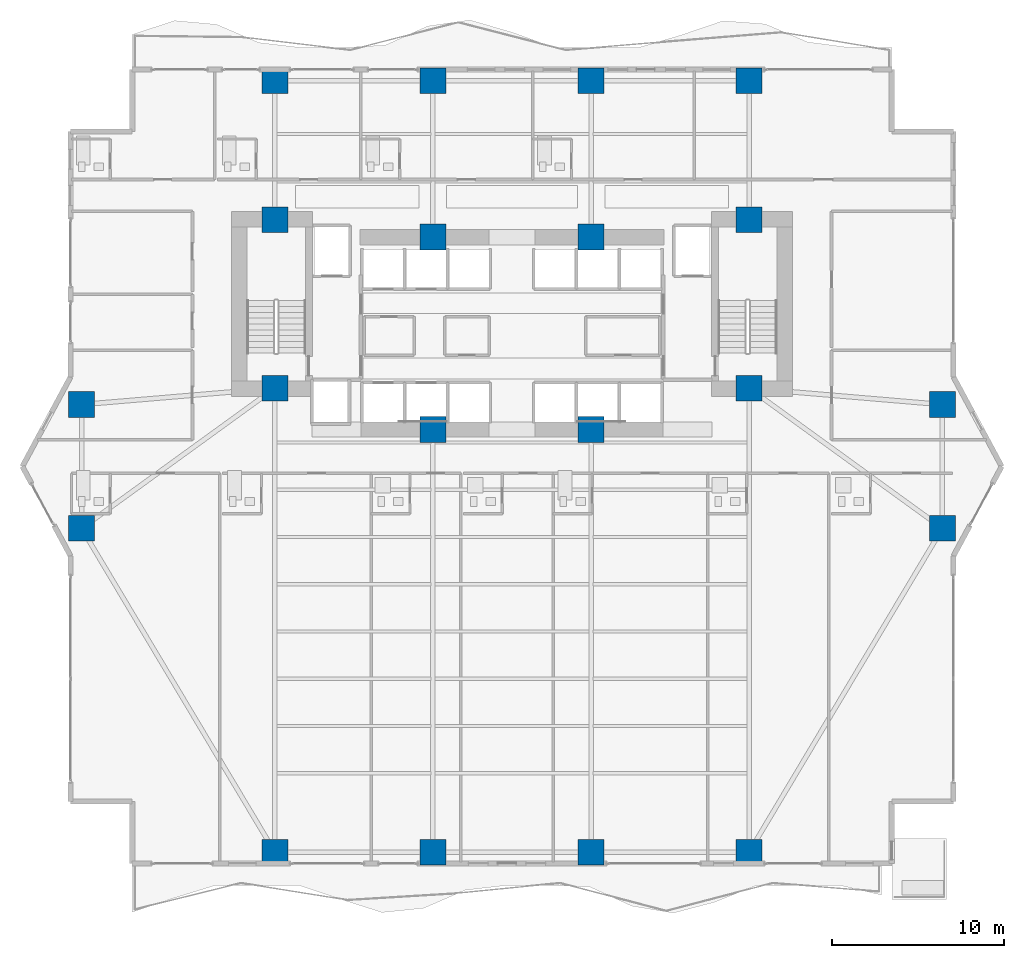
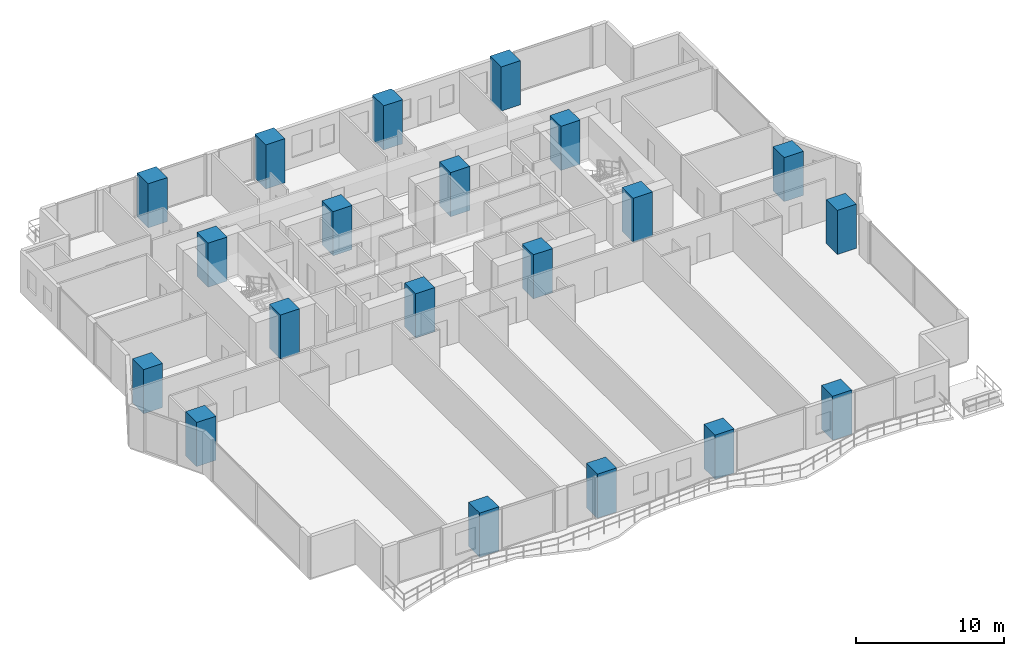
# One storey, part 1 of 29: 20 columns.
"""IFC4 building model written with IfcOpenShell, lengths in metres."""

from ifc_helpers import new_model, si_unit, direction, frame, origin, origin_2d, place, context, subcontext, project, spatial, rectangle, extrude, material, material_profile, profile_set, type_object, element, save


model = new_model("IFC4")

# Units and contexts
model_context = context("Model", 3, precision=1e-05, world=origin(), true_north=direction((0.0, 1.0)))
body_context = subcontext(model_context, "Body", "Model", "MODEL_VIEW")
ifc_project = project(units=[si_unit("LENGTHUNIT", "METRE"), si_unit("AREAUNIT", "SQUARE_METRE"), si_unit("VOLUMEUNIT", "CUBIC_METRE"), si_unit("PLANEANGLEUNIT", "RADIAN"), si_unit("MASSUNIT", "GRAM", prefix="KILO")], contexts=[model_context])

# Site, building, storey
site_placement = place(None, origin())
site = spatial("IfcSite", under=ifc_project, at=site_placement, CompositionType="ELEMENT")
building_placement = place(site_placement, origin())
building = spatial("IfcBuilding", under=site, at=building_placement, Name="Zuhayl Quay Hotel", CompositionType="ELEMENT")
storey_placement = place(building_placement, frame((0.0, 0.0, 42.199951171875)))
storey = spatial("IfcBuildingStorey", under=building, at=storey_placement, Name="L09", CompositionType="ELEMENT", Elevation=42.199951171875)

# Columns
ifc_material = material(Name="Concrete C70/85", Category="concrete")
ifc_material_profile_1 = material_profile(ifc_material, rectangle(XDim=1.5, YDim=1.5, at=origin_2d()), Name="RC1500X1500")
ifc_profile_set_1 = profile_set([ifc_material_profile_1], Name="Concrete C70/85")
column_type_1 = type_object("IfcColumnType", Name="CL_CC1_1500", PredefinedType="COLUMN", material=ifc_profile_set_1)
for number, where, z_axis, x_axis, name in (
    (1, (-13.800048828125, 14.35009765625, 0.0), (0.0, 0.0, 1.0), (1.0, 0.0, 0.0), "L09 Core Column CC_NW"),
    (2, (-4.60009765625, 13.35009765625, 0.0), (0.0, 0.0, 1.0), (1.0, 0.0, 0.0), "L09 Core Column CC_CNW"),
    (3, (4.60009765625, 13.35009765625, 0.0), (0.0, 0.0, 1.0), (1.0, 0.0, 0.0), "L09 Core Column CC_CNE"),
    (4, (13.800048828125, 14.35009765625, 0.0), (0.0, 0.0, 1.0), (1.0, 0.0, 0.0), "L09 Core Column CC_NE"),
    (5, (-13.800048828125, 4.550048828125, 0.0), (0.0, 0.0, 1.0), (1.0, 0.0, 0.0), "L09 Core Column CC_SW"),
    (6, (-4.60009765625, 2.14990234375, 0.0), (0.0, 0.0, 1.0), (1.0, 0.0, 0.0), "L09 Core Column CC_CSW"),
    (7, (4.60009765625, 2.14990234375, 0.0), (0.0, 0.0, 1.0), (1.0, 0.0, 0.0), "L09 Core Column CC_CSE"),
    (8, (13.800048828125, 4.550048828125, 0.0), (0.0, 0.0, 1.0), (1.0, 0.0, 0.0), "L09 Core Column CC_SE"),
):
    element("IfcColumn", number, at=place(storey_placement, frame(where, z_axis=z_axis, x_axis=x_axis)), inside=storey, type_object=column_type_1, Name=name, PredefinedType="COLUMN", context=body_context, shape_type="SweptSolid", body=[
        extrude(rectangle(XDim=1.5, YDim=1.5, at=origin_2d()), origin(), (0.0, 0.0, 1.0), 3.650146484375),
    ])
ifc_material_profile_2 = material_profile(ifc_material, rectangle(XDim=1.5, YDim=1.5, at=origin_2d()), Name="RC1500X1500")
ifc_profile_set_2 = profile_set([ifc_material_profile_2], Name="Concrete C70/85")
column_type_2 = type_object("IfcColumnType", Name="CL_MC1_1500", PredefinedType="COLUMN", material=ifc_profile_set_2)
for number, where, z_axis, x_axis, name in (
    (9, (-13.800048828125, -22.449951171875, 0.0), (0.0, 0.0, 1.0), (1.0, 0.0, 0.0), "L09 Mega-Column MC_S1"),
    (10, (-4.60009765625, -22.449951171875, 0.0), (0.0, 0.0, 1.0), (1.0, 0.0, 0.0), "L09 Mega-Column MC_S2"),
    (11, (4.60009765625, -22.449951171875, 0.0), (0.0, 0.0, 1.0), (1.0, 0.0, 0.0), "L09 Mega-Column MC_S3"),
    (12, (13.800048828125, -22.449951171875, 0.0), (0.0, 0.0, 1.0), (1.0, 0.0, 0.0), "L09 Mega-Column MC_S4"),
    (13, (-13.800048828125, 22.449951171875, 0.0), (0.0, 0.0, 1.0), (1.0, 0.0, 0.0), "L09 Mega-Column MC_N1"),
    (14, (-4.60009765625, 22.449951171875, 0.0), (0.0, 0.0, 1.0), (1.0, 0.0, 0.0), "L09 Mega-Column MC_N2"),
    (15, (4.60009765625, 22.449951171875, 0.0), (0.0, 0.0, 1.0), (1.0, 0.0, 0.0), "L09 Mega-Column MC_N3"),
    (16, (13.800048828125, 22.449951171875, 0.0), (0.0, 0.0, 1.0), (1.0, 0.0, 0.0), "L09 Mega-Column MC_N4"),
    (17, (-25.050048828125, -3.60009765625, 0.0), (0.0, 0.0, 1.0), (1.0, 0.0, 0.0), "L09 Mega-Column MC_W1"),
    (18, (-25.050048828125, 3.60009765625, 0.0), (0.0, 0.0, 1.0), (1.0, 0.0, 0.0), "L09 Mega-Column MC_W2"),
    (19, (25.050048828125, -3.60009765625, 0.0), (0.0, 0.0, 1.0), (1.0, 0.0, 0.0), "L09 Mega-Column MC_E1"),
    (20, (25.050048828125, 3.60009765625, 0.0), (0.0, 0.0, 1.0), (1.0, 0.0, 0.0), "L09 Mega-Column MC_E2"),
):
    element("IfcColumn", number, at=place(storey_placement, frame(where, z_axis=z_axis, x_axis=x_axis)), inside=storey, type_object=column_type_2, Name=name, PredefinedType="COLUMN", context=body_context, shape_type="SweptSolid", body=[
        extrude(rectangle(XDim=1.5, YDim=1.5, at=origin_2d()), origin(), (0.0, 0.0, 1.0), 3.650146484375),
    ])

save(model, "model.ifc")
